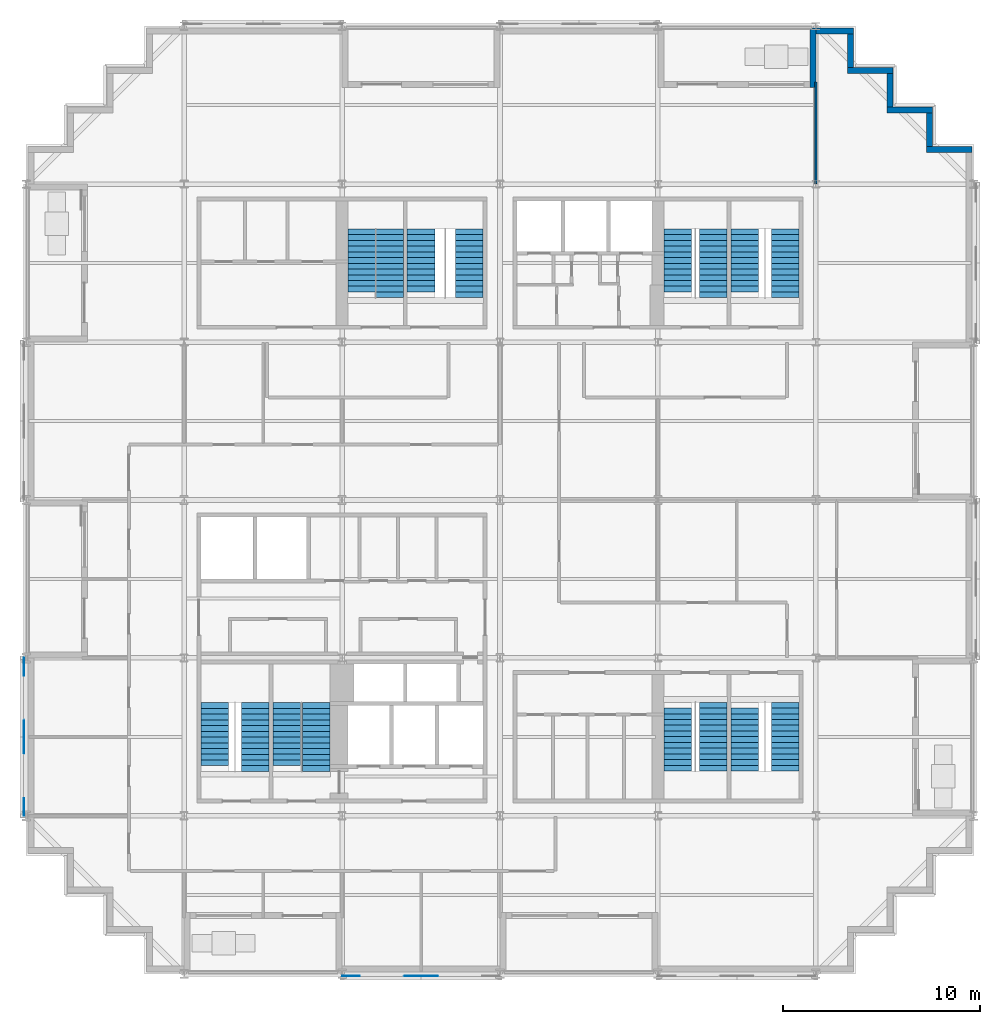
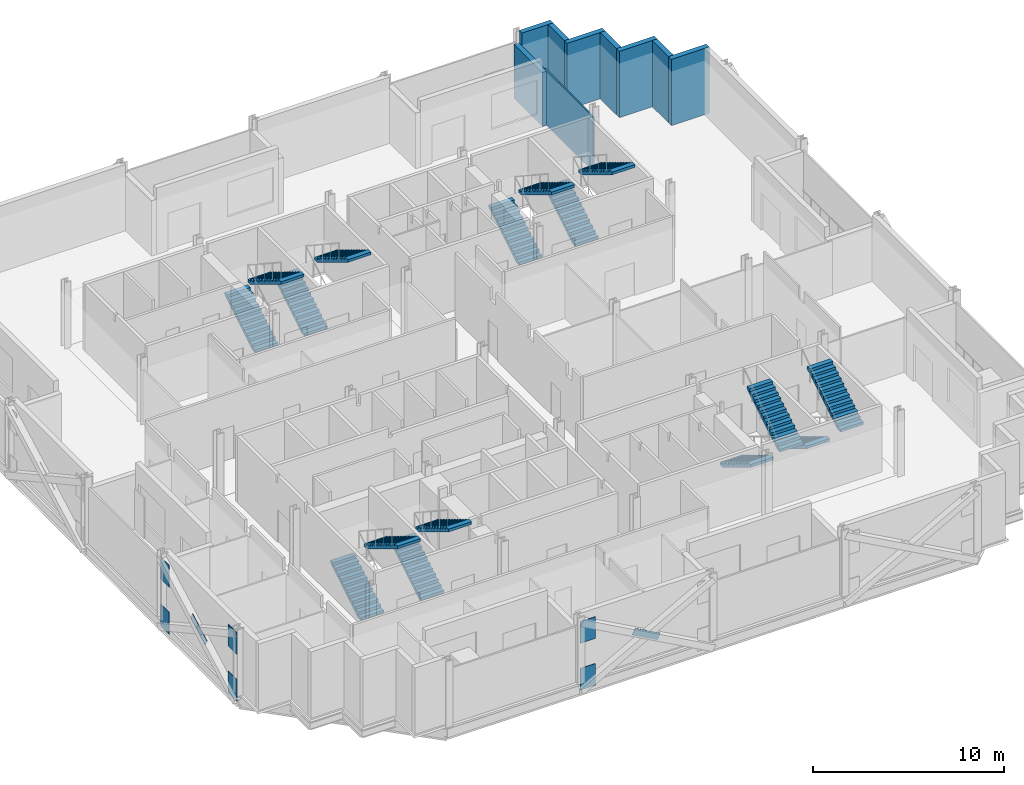
# One storey, part 11 of 15: 16 stair flights, 9 walls, 8 discrete accessories, 8 elements without a shape of their own.
"""IFC4 building model written with IfcOpenShell, lengths in metres."""

from ifc_helpers import new_model, si_unit, direction, frame, frame_2d, origin, origin_2d, place, context, subcontext, project, spatial, polyline, rectangle, outline, extrude, material, layer, layer_set, material_profile, profile_set, type_object, element, aggregate, save


model = new_model("IFC4")

# Units and contexts
model_context = context("Model", 3, precision=1e-05, world=origin(), true_north=direction((0.0, 1.0)))
body_context = subcontext(model_context, "Body", "Model", "MODEL_VIEW")
ifc_project = project(units=[si_unit("LENGTHUNIT", "METRE"), si_unit("AREAUNIT", "SQUARE_METRE"), si_unit("VOLUMEUNIT", "CUBIC_METRE"), si_unit("PLANEANGLEUNIT", "RADIAN"), si_unit("MASSUNIT", "GRAM", prefix="KILO")], contexts=[model_context])

# Site, building, storey
site_placement = place(None, origin())
site = spatial("IfcSite", under=ifc_project, at=site_placement, CompositionType="ELEMENT")
building_placement = place(site_placement, origin())
building = spatial("IfcBuilding", under=site, at=building_placement, Name="Immortelle Media Tower", CompositionType="ELEMENT")
storey_placement = place(building_placement, frame((0.0, 0.0, 78.800048828125)))
storey = spatial("IfcBuildingStorey", under=building, at=storey_placement, Name="L14", CompositionType="ELEMENT", Elevation=78.800048828125)

# Walls
ifc_material_1 = material(Name="Pale aluminium cladding panel", Category="aluminium")
ifc_layer_1 = layer(ifc_material_1, 0.030029296875)
ifc_material_2 = material(Name="Steel ASTM A653 SS Gr 50 stud frame with mineral wool", Category="steel")
ifc_layer_2 = layer(ifc_material_2, 0.257568359375)
ifc_material_3 = material(Name="Moisture-resistant gypsum board", Category="gypsum")
ifc_layer_3 = layer(ifc_material_3, 0.012451171875)
ifc_layer_set_1 = layer_set([ifc_layer_1, ifc_layer_2, ifc_layer_3], Name="Steel ASTM A653 SS Gr 50 stud frame with mineral wool")
wall_type_1 = type_object("IfcWallType", Name="Facade wall 300", PredefinedType="SOLIDWALL", material=ifc_layer_set_1)
wall_1_placement = place(storey_placement, frame((47.89990234375, 41.75, 0.0), z_axis=(0.0, 0.0, 1.0), x_axis=(-1.0, 0.0, 0.0)))
element("IfcWall", 1, at=wall_1_placement, inside=storey, type_object=wall_type_1, Name="Facade wall L14 N15", PredefinedType="SOLIDWALL", context=body_context, shape_type="SweptSolid", body=[
    extrude(rectangle(XDim=2.2998046875, YDim=0.300048828125, at=frame_2d((1.14990234375, 0.0))), origin(), (0.0, 0.0, 1.0), 4.25),
])
wall_2_placement = place(storey_placement, frame((45.75, 41.89990234375, 0.0), z_axis=(0.0, 0.0, 1.0), x_axis=(0.0, 1.0, 0.0)))
element("IfcWall", 2, at=wall_2_placement, inside=storey, type_object=wall_type_1, Name="Facade wall L14 E16", PredefinedType="SOLIDWALL", context=body_context, shape_type="SweptSolid", body=[
    extrude(rectangle(XDim=1.7001953125, YDim=0.300048828125, at=frame_2d((0.85009765625, 0.0))), origin(), (0.0, 0.0, 1.0), 4.25),
])
wall_3_placement = place(storey_placement, frame((45.89990234375, 43.75, 0.0), z_axis=(0.0, 0.0, 1.0), x_axis=(-1.0, 0.0, 0.0)))
element("IfcWall", 3, at=wall_3_placement, inside=storey, type_object=wall_type_1, Name="Facade wall L14 N17", PredefinedType="SOLIDWALL", context=body_context, shape_type="SweptSolid", body=[
    extrude(rectangle(XDim=2.2998046875, YDim=0.300048828125, at=frame_2d((1.14990234375, 0.0))), origin(), (0.0, 0.0, 1.0), 4.25),
])
wall_4_placement = place(storey_placement, frame((43.75, 43.89990234375, 0.0), z_axis=(0.0, 0.0, 1.0), x_axis=(0.0, 1.0, 0.0)))
element("IfcWall", 4, at=wall_4_placement, inside=storey, type_object=wall_type_1, Name="Facade wall L14 E18", PredefinedType="SOLIDWALL", context=body_context, shape_type="SweptSolid", body=[
    extrude(rectangle(XDim=1.7001953125, YDim=0.300048828125, at=frame_2d((0.85009765625, 0.0))), origin(), (0.0, 0.0, 1.0), 4.25),
])
wall_5_placement = place(storey_placement, frame((43.89990234375, 45.75, 0.0), z_axis=(0.0, 0.0, 1.0), x_axis=(-1.0, 0.0, 0.0)))
element("IfcWall", 5, at=wall_5_placement, inside=storey, type_object=wall_type_1, Name="Facade wall L14 N19", PredefinedType="SOLIDWALL", context=body_context, shape_type="SweptSolid", body=[
    extrude(rectangle(XDim=2.2998046875, YDim=0.300048828125, at=frame_2d((1.14990234375, 0.0))), origin(), (0.0, 0.0, 1.0), 4.25),
])
wall_6_placement = place(storey_placement, frame((41.75, 45.89990234375, 0.0), z_axis=(0.0, 0.0, 1.0), x_axis=(0.0, 1.0, 0.0)))
element("IfcWall", 6, at=wall_6_placement, inside=storey, type_object=wall_type_1, Name="Facade wall L14 E20", PredefinedType="SOLIDWALL", context=body_context, shape_type="SweptSolid", body=[
    extrude(rectangle(XDim=1.7001953125, YDim=0.300048828125, at=frame_2d((0.85009765625, 0.0))), origin(), (0.0, 0.0, 1.0), 4.25),
])
wall_7_placement = place(storey_placement, frame((41.89990234375, 47.75, 0.0), z_axis=(0.0, 0.0, 1.0), x_axis=(-1.0, 0.0, 0.0)))
element("IfcWall", 7, at=wall_7_placement, inside=storey, type_object=wall_type_1, Name="Facade wall L14 N21", PredefinedType="SOLIDWALL", context=body_context, shape_type="SweptSolid", body=[
    extrude(rectangle(XDim=1.89990234375, YDim=0.300048828125, at=frame_2d((0.949951171875, 0.0))), origin(), (0.0, 0.0, 1.0), 4.25),
])
wall_8_placement = place(storey_placement, frame((39.85009765625, 47.89990234375, 0.0), z_axis=(0.0, 0.0, 1.0), x_axis=(0.0, -1.0, 0.0)))
element("IfcWall", 8, at=wall_8_placement, inside=storey, type_object=wall_type_1, Name="Loggia cheek wall L14 N", PredefinedType="SOLIDWALL", context=body_context, shape_type="SweptSolid", body=[
    extrude(rectangle(XDim=3.0, YDim=0.300048828125, at=frame_2d((1.5, 0.0))), origin(), (0.0, 0.0, 1.0), 3.468994140625),
])
ifc_material_4 = material(Name="Gypsum board", Category="gypsum")
ifc_layer_4 = layer(ifc_material_4, 0.012451171875)
ifc_layer_5 = layer(ifc_material_2, 0.074951171875)
ifc_layer_6 = layer(ifc_material_4, 0.012451171875)
ifc_layer_set_2 = layer_set([ifc_layer_4, ifc_layer_5, ifc_layer_6], Name="Steel ASTM A653 SS Gr 50 stud frame with mineral wool")
wall_type_2 = type_object("IfcWallType", Name="Partition 100", PredefinedType="PARTITIONING", material=ifc_layer_set_2)
wall_9_placement = place(storey_placement, frame((40.0, 40.030029296875, 0.0), z_axis=(0.0, 0.0, 1.0), x_axis=(0.0, 1.0, 0.0)))
element("IfcWall", 9, at=wall_9_placement, inside=storey, type_object=wall_type_2, Name="Partition L14-038", PredefinedType="PARTITIONING", context=body_context, shape_type="SweptSolid", body=[
    extrude(rectangle(XDim=5.139892578125, YDim=0.10009765625, at=frame_2d((2.56982421875, 0.0))), origin(), (0.0, 0.0, 1.0), 3.469970703125),
])

# Stair, stair flights
ifc_material_5 = material(Name="Steel ASTM A992 Gr 50", Category="steel")
stair_type = type_object("IfcStairType", Name="Stair with flights", PredefinedType="DOUBLE_RETURN_STAIR", material=ifc_material_5)
stair_1_placement = place(storey_placement, origin())
stair_1 = element("IfcStair", 10, at=stair_1_placement, inside=storey, type_object=stair_type, Name="Exit stair SW1", PredefinedType="DOUBLE_RETURN_STAIR")
stair_flight_type = type_object("IfcStairFlightType", Name="Stair flight 1400", PredefinedType="STRAIGHT", material=ifc_material_5)
stair_flight_1_placement = place(storey_placement, frame((9.550048828125, 10.5400390625, 0.0), z_axis=(0.0, 0.0, 1.0), x_axis=(0.0, 1.0, 0.0)))
stair_flight_1 = element("IfcStairFlight", 11, at=stair_flight_1_placement, type_object=stair_flight_type, Name="ST SW1 flight 1", NumberOfRisers=12, NumberOfTreads=11, PredefinedType="STRAIGHT", RiserHeight=0.176, TreadLength=0.29, context=body_context, shape_type="SweptSolid", body=[
    extrude(outline(polyline([(0.0, 0.0), (0.0, 0.176025390625), (0.2900390625, 0.176025390625), (0.2900390625, 0.35205078125), (0.580078125, 0.35205078125), (0.580078125, 0.528076171875), (0.8701171875, 0.528076171875), (0.8701171875, 0.7041015625), (1.159912109375, 0.7041015625), (1.159912109375, 0.8798828125), (1.449951171875, 0.8798828125), (1.449951171875, 1.055908203125), (1.739990234375, 1.055908203125), (1.739990234375, 1.23193359375), (2.030029296875, 1.23193359375), (2.030029296875, 1.407958984375), (2.320068359375, 1.407958984375), (2.320068359375, 1.583984375), (2.610107421875, 1.583984375), (2.610107421875, 1.760009765625), (2.89990234375, 1.760009765625), (2.89990234375, 1.93603515625), (3.18994140625, 1.93603515625), (3.18994140625, 2.112060546875), (3.18994140625, 1.7607421875), (0.288818359375, 0.0), (0.0, 0.0)])), frame((0.0, 0.699951171875, 0.0), z_axis=(0.0, -1.0, 0.0), x_axis=(1.0, 0.0, 0.0)), (0.0, 0.0, 1.0), 1.39990234375),
])
stair_flight_2_placement = place(storey_placement, frame((11.60009765625, 13.72998046875, 2.112060546875), z_axis=(0.0, 0.0, 1.0), x_axis=(0.0, -1.0, 0.0)))
stair_flight_2 = element("IfcStairFlight", 12, at=stair_flight_2_placement, type_object=stair_flight_type, Name="ST SW1 flight 2", NumberOfRisers=13, NumberOfTreads=12, PredefinedType="STRAIGHT", RiserHeight=0.176, TreadLength=0.29, context=body_context, shape_type="SweptSolid", body=[
    extrude(outline(polyline([(0.0, 0.0), (0.0, 0.176025390625), (0.2900390625, 0.176025390625), (0.2900390625, 0.35205078125), (0.580078125, 0.35205078125), (0.580078125, 0.528076171875), (0.8701171875, 0.528076171875), (0.8701171875, 0.7041015625), (1.159912109375, 0.7041015625), (1.159912109375, 0.8798828125), (1.449951171875, 0.8798828125), (1.449951171875, 1.055908203125), (1.739990234375, 1.055908203125), (1.739990234375, 1.23193359375), (2.030029296875, 1.23193359375), (2.030029296875, 1.407958984375), (2.320068359375, 1.407958984375), (2.320068359375, 1.583984375), (2.610107421875, 1.583984375), (2.610107421875, 1.760009765625), (2.89990234375, 1.760009765625), (2.89990234375, 1.93603515625), (3.18994140625, 1.93603515625), (3.18994140625, 2.112060546875), (3.47998046875, 2.112060546875), (3.47998046875, 2.2880859375), (3.47998046875, 1.936767578125), (0.288818359375, 0.0), (0.0, 0.0)])), frame((0.0, 0.699951171875, 0.0), z_axis=(0.0, -1.0, 0.0), x_axis=(1.0, 0.0, 0.0)), (0.0, 0.0, 1.0), 1.39990234375),
])
aggregate(stair_1, [stair_flight_1, stair_flight_2])

stair_2_placement = place(storey_placement, origin())
stair_2 = element("IfcStair", 13, at=stair_2_placement, inside=storey, type_object=stair_type, Name="Exit stair SW2", PredefinedType="DOUBLE_RETURN_STAIR")
stair_flight_3_placement = place(storey_placement, frame((13.199951171875, 10.5400390625, 0.0), z_axis=(0.0, 0.0, 1.0), x_axis=(0.0, 1.0, 0.0)))
stair_flight_3 = element("IfcStairFlight", 14, at=stair_flight_3_placement, type_object=stair_flight_type, Name="ST SW2 flight 1", NumberOfRisers=12, NumberOfTreads=11, PredefinedType="STRAIGHT", RiserHeight=0.176, TreadLength=0.29, context=body_context, shape_type="SweptSolid", body=[
    extrude(outline(polyline([(0.0, 0.0), (0.0, 0.176025390625), (0.2900390625, 0.176025390625), (0.2900390625, 0.35205078125), (0.580078125, 0.35205078125), (0.580078125, 0.528076171875), (0.8701171875, 0.528076171875), (0.8701171875, 0.7041015625), (1.159912109375, 0.7041015625), (1.159912109375, 0.8798828125), (1.449951171875, 0.8798828125), (1.449951171875, 1.055908203125), (1.739990234375, 1.055908203125), (1.739990234375, 1.23193359375), (2.030029296875, 1.23193359375), (2.030029296875, 1.407958984375), (2.320068359375, 1.407958984375), (2.320068359375, 1.583984375), (2.610107421875, 1.583984375), (2.610107421875, 1.760009765625), (2.89990234375, 1.760009765625), (2.89990234375, 1.93603515625), (3.18994140625, 1.93603515625), (3.18994140625, 2.112060546875), (3.18994140625, 1.7607421875), (0.288818359375, 0.0), (0.0, 0.0)])), frame((0.0, 0.699951171875, 0.0), z_axis=(0.0, -1.0, 0.0), x_axis=(1.0, 0.0, 0.0)), (0.0, 0.0, 1.0), 1.39990234375),
])
stair_flight_4_placement = place(storey_placement, frame((14.699951171875, 13.72998046875, 2.112060546875), z_axis=(0.0, 0.0, 1.0), x_axis=(0.0, -1.0, 0.0)))
stair_flight_4 = element("IfcStairFlight", 15, at=stair_flight_4_placement, type_object=stair_flight_type, Name="ST SW2 flight 2", NumberOfRisers=13, NumberOfTreads=12, PredefinedType="STRAIGHT", RiserHeight=0.176, TreadLength=0.29, context=body_context, shape_type="SweptSolid", body=[
    extrude(outline(polyline([(0.0, 0.0), (0.0, 0.176025390625), (0.2900390625, 0.176025390625), (0.2900390625, 0.35205078125), (0.580078125, 0.35205078125), (0.580078125, 0.528076171875), (0.8701171875, 0.528076171875), (0.8701171875, 0.7041015625), (1.159912109375, 0.7041015625), (1.159912109375, 0.8798828125), (1.449951171875, 0.8798828125), (1.449951171875, 1.055908203125), (1.739990234375, 1.055908203125), (1.739990234375, 1.23193359375), (2.030029296875, 1.23193359375), (2.030029296875, 1.407958984375), (2.320068359375, 1.407958984375), (2.320068359375, 1.583984375), (2.610107421875, 1.583984375), (2.610107421875, 1.760009765625), (2.89990234375, 1.760009765625), (2.89990234375, 1.93603515625), (3.18994140625, 1.93603515625), (3.18994140625, 2.112060546875), (3.47998046875, 2.112060546875), (3.47998046875, 2.2880859375), (3.47998046875, 1.936767578125), (0.288818359375, 0.0), (0.0, 0.0)])), frame((0.0, 0.699951171875, 0.0), z_axis=(0.0, -1.0, 0.0), x_axis=(1.0, 0.0, 0.0)), (0.0, 0.0, 1.0), 1.39990234375),
])
aggregate(stair_2, [stair_flight_3, stair_flight_4])

stair_3_placement = place(storey_placement, origin())
stair_3 = element("IfcStair", 16, at=stair_3_placement, inside=storey, type_object=stair_type, Name="Exit stair SE1", PredefinedType="DOUBLE_RETURN_STAIR")
stair_flight_5_placement = place(storey_placement, frame((33.0, 13.4599609375, 0.0), z_axis=(0.0, 0.0, 1.0), x_axis=(0.0, -1.0, 0.0)))
stair_flight_5 = element("IfcStairFlight", 17, at=stair_flight_5_placement, type_object=stair_flight_type, Name="ST SE1 flight 1", NumberOfRisers=12, NumberOfTreads=11, PredefinedType="STRAIGHT", RiserHeight=0.176, TreadLength=0.29, context=body_context, shape_type="SweptSolid", body=[
    extrude(outline(polyline([(0.0, 0.0), (0.0, 0.176025390625), (0.2900390625, 0.176025390625), (0.2900390625, 0.35205078125), (0.580078125, 0.35205078125), (0.580078125, 0.528076171875), (0.8701171875, 0.528076171875), (0.8701171875, 0.7041015625), (1.159912109375, 0.7041015625), (1.159912109375, 0.8798828125), (1.449951171875, 0.8798828125), (1.449951171875, 1.055908203125), (1.739990234375, 1.055908203125), (1.739990234375, 1.23193359375), (2.030029296875, 1.23193359375), (2.030029296875, 1.407958984375), (2.320068359375, 1.407958984375), (2.320068359375, 1.583984375), (2.610107421875, 1.583984375), (2.610107421875, 1.760009765625), (2.89990234375, 1.760009765625), (2.89990234375, 1.93603515625), (3.18994140625, 1.93603515625), (3.18994140625, 2.112060546875), (3.18994140625, 1.7607421875), (0.288818359375, 0.0), (0.0, 0.0)])), frame((0.0, 0.699951171875, 0.0), z_axis=(0.0, -1.0, 0.0), x_axis=(1.0, 0.0, 0.0)), (0.0, 0.0, 1.0), 1.39990234375),
])
stair_flight_6_placement = place(storey_placement, frame((34.800048828125, 10.27001953125, 2.112060546875), z_axis=(0.0, 0.0, 1.0), x_axis=(0.0, 1.0, 0.0)))
stair_flight_6 = element("IfcStairFlight", 18, at=stair_flight_6_placement, type_object=stair_flight_type, Name="ST SE1 flight 2", NumberOfRisers=13, NumberOfTreads=12, PredefinedType="STRAIGHT", RiserHeight=0.176, TreadLength=0.29, context=body_context, shape_type="SweptSolid", body=[
    extrude(outline(polyline([(0.0, 0.0), (0.0, 0.176025390625), (0.2900390625, 0.176025390625), (0.2900390625, 0.35205078125), (0.580078125, 0.35205078125), (0.580078125, 0.528076171875), (0.8701171875, 0.528076171875), (0.8701171875, 0.7041015625), (1.159912109375, 0.7041015625), (1.159912109375, 0.8798828125), (1.449951171875, 0.8798828125), (1.449951171875, 1.055908203125), (1.739990234375, 1.055908203125), (1.739990234375, 1.23193359375), (2.030029296875, 1.23193359375), (2.030029296875, 1.407958984375), (2.320068359375, 1.407958984375), (2.320068359375, 1.583984375), (2.610107421875, 1.583984375), (2.610107421875, 1.760009765625), (2.89990234375, 1.760009765625), (2.89990234375, 1.93603515625), (3.18994140625, 1.93603515625), (3.18994140625, 2.112060546875), (3.47998046875, 2.112060546875), (3.47998046875, 2.2880859375), (3.47998046875, 1.936767578125), (0.288818359375, 0.0), (0.0, 0.0)])), frame((0.0, 0.699951171875, 0.0), z_axis=(0.0, -1.0, 0.0), x_axis=(1.0, 0.0, 0.0)), (0.0, 0.0, 1.0), 1.39990234375),
])
aggregate(stair_3, [stair_flight_5, stair_flight_6])

stair_4_placement = place(storey_placement, origin())
stair_4 = element("IfcStair", 19, at=stair_4_placement, inside=storey, type_object=stair_type, Name="Exit stair SE2", PredefinedType="DOUBLE_RETURN_STAIR")
stair_flight_7_placement = place(storey_placement, frame((36.39990234375, 13.4599609375, 0.0), z_axis=(0.0, 0.0, 1.0), x_axis=(0.0, -1.0, 0.0)))
stair_flight_7 = element("IfcStairFlight", 20, at=stair_flight_7_placement, type_object=stair_flight_type, Name="ST SE2 flight 1", NumberOfRisers=12, NumberOfTreads=11, PredefinedType="STRAIGHT", RiserHeight=0.176, TreadLength=0.29, context=body_context, shape_type="SweptSolid", body=[
    extrude(outline(polyline([(0.0, 0.0), (0.0, 0.176025390625), (0.2900390625, 0.176025390625), (0.2900390625, 0.35205078125), (0.580078125, 0.35205078125), (0.580078125, 0.528076171875), (0.8701171875, 0.528076171875), (0.8701171875, 0.7041015625), (1.159912109375, 0.7041015625), (1.159912109375, 0.8798828125), (1.449951171875, 0.8798828125), (1.449951171875, 1.055908203125), (1.739990234375, 1.055908203125), (1.739990234375, 1.23193359375), (2.030029296875, 1.23193359375), (2.030029296875, 1.407958984375), (2.320068359375, 1.407958984375), (2.320068359375, 1.583984375), (2.610107421875, 1.583984375), (2.610107421875, 1.760009765625), (2.89990234375, 1.760009765625), (2.89990234375, 1.93603515625), (3.18994140625, 1.93603515625), (3.18994140625, 2.112060546875), (3.18994140625, 1.7607421875), (0.288818359375, 0.0), (0.0, 0.0)])), frame((0.0, 0.699951171875, 0.0), z_axis=(0.0, -1.0, 0.0), x_axis=(1.0, 0.0, 0.0)), (0.0, 0.0, 1.0), 1.39990234375),
])
stair_flight_8_placement = place(storey_placement, frame((38.449951171875, 10.27001953125, 2.112060546875), z_axis=(0.0, 0.0, 1.0), x_axis=(0.0, 1.0, 0.0)))
stair_flight_8 = element("IfcStairFlight", 21, at=stair_flight_8_placement, type_object=stair_flight_type, Name="ST SE2 flight 2", NumberOfRisers=13, NumberOfTreads=12, PredefinedType="STRAIGHT", RiserHeight=0.176, TreadLength=0.29, context=body_context, shape_type="SweptSolid", body=[
    extrude(outline(polyline([(0.0, 0.0), (0.0, 0.176025390625), (0.2900390625, 0.176025390625), (0.2900390625, 0.35205078125), (0.580078125, 0.35205078125), (0.580078125, 0.528076171875), (0.8701171875, 0.528076171875), (0.8701171875, 0.7041015625), (1.159912109375, 0.7041015625), (1.159912109375, 0.8798828125), (1.449951171875, 0.8798828125), (1.449951171875, 1.055908203125), (1.739990234375, 1.055908203125), (1.739990234375, 1.23193359375), (2.030029296875, 1.23193359375), (2.030029296875, 1.407958984375), (2.320068359375, 1.407958984375), (2.320068359375, 1.583984375), (2.610107421875, 1.583984375), (2.610107421875, 1.760009765625), (2.89990234375, 1.760009765625), (2.89990234375, 1.93603515625), (3.18994140625, 1.93603515625), (3.18994140625, 2.112060546875), (3.47998046875, 2.112060546875), (3.47998046875, 2.2880859375), (3.47998046875, 1.936767578125), (0.288818359375, 0.0), (0.0, 0.0)])), frame((0.0, 0.699951171875, 0.0), z_axis=(0.0, -1.0, 0.0), x_axis=(1.0, 0.0, 0.0)), (0.0, 0.0, 1.0), 1.39990234375),
])
aggregate(stair_4, [stair_flight_7, stair_flight_8])

stair_5_placement = place(storey_placement, origin())
stair_5 = element("IfcStair", 22, at=stair_5_placement, inside=storey, type_object=stair_type, Name="Exit stair NW1", PredefinedType="DOUBLE_RETURN_STAIR")
stair_flight_9_placement = place(storey_placement, frame((17.0, 34.5400390625, 0.0), z_axis=(0.0, 0.0, 1.0), x_axis=(0.0, 1.0, 0.0)))
stair_flight_9 = element("IfcStairFlight", 23, at=stair_flight_9_placement, type_object=stair_flight_type, Name="ST NW1 flight 1", NumberOfRisers=12, NumberOfTreads=11, PredefinedType="STRAIGHT", RiserHeight=0.176, TreadLength=0.29, context=body_context, shape_type="SweptSolid", body=[
    extrude(outline(polyline([(0.0, 0.0), (0.0, 0.176025390625), (0.2900390625, 0.176025390625), (0.2900390625, 0.35205078125), (0.580078125, 0.35205078125), (0.580078125, 0.528076171875), (0.8701171875, 0.528076171875), (0.8701171875, 0.7041015625), (1.159912109375, 0.7041015625), (1.159912109375, 0.8798828125), (1.449951171875, 0.8798828125), (1.449951171875, 1.055908203125), (1.739990234375, 1.055908203125), (1.739990234375, 1.23193359375), (2.030029296875, 1.23193359375), (2.030029296875, 1.407958984375), (2.320068359375, 1.407958984375), (2.320068359375, 1.583984375), (2.610107421875, 1.583984375), (2.610107421875, 1.760009765625), (2.89990234375, 1.760009765625), (2.89990234375, 1.93603515625), (3.18994140625, 1.93603515625), (3.18994140625, 2.112060546875), (3.18994140625, 1.7607421875), (0.288818359375, 0.0), (0.0, 0.0)])), frame((0.0, 0.699951171875, 0.0), z_axis=(0.0, -1.0, 0.0), x_axis=(1.0, 0.0, 0.0)), (0.0, 0.0, 1.0), 1.39990234375),
])
stair_flight_10_placement = place(storey_placement, frame((18.39990234375, 37.72998046875, 2.112060546875), z_axis=(0.0, 0.0, 1.0), x_axis=(0.0, -1.0, 0.0)))
stair_flight_10 = element("IfcStairFlight", 24, at=stair_flight_10_placement, type_object=stair_flight_type, Name="ST NW1 flight 2", NumberOfRisers=13, NumberOfTreads=12, PredefinedType="STRAIGHT", RiserHeight=0.176, TreadLength=0.29, context=body_context, shape_type="SweptSolid", body=[
    extrude(outline(polyline([(0.0, 0.0), (0.0, 0.176025390625), (0.2900390625, 0.176025390625), (0.2900390625, 0.35205078125), (0.580078125, 0.35205078125), (0.580078125, 0.528076171875), (0.8701171875, 0.528076171875), (0.8701171875, 0.7041015625), (1.159912109375, 0.7041015625), (1.159912109375, 0.8798828125), (1.449951171875, 0.8798828125), (1.449951171875, 1.055908203125), (1.739990234375, 1.055908203125), (1.739990234375, 1.23193359375), (2.030029296875, 1.23193359375), (2.030029296875, 1.407958984375), (2.320068359375, 1.407958984375), (2.320068359375, 1.583984375), (2.610107421875, 1.583984375), (2.610107421875, 1.760009765625), (2.89990234375, 1.760009765625), (2.89990234375, 1.93603515625), (3.18994140625, 1.93603515625), (3.18994140625, 2.112060546875), (3.47998046875, 2.112060546875), (3.47998046875, 2.2880859375), (3.47998046875, 1.936767578125), (0.288818359375, 0.0), (0.0, 0.0)])), frame((0.0, 0.699951171875, 0.0), z_axis=(0.0, -1.0, 0.0), x_axis=(1.0, 0.0, 0.0)), (0.0, 0.0, 1.0), 1.39990234375),
])
aggregate(stair_5, [stair_flight_9, stair_flight_10])

stair_6_placement = place(storey_placement, origin())
stair_6 = element("IfcStair", 25, at=stair_6_placement, inside=storey, type_object=stair_type, Name="Exit stair NW2", PredefinedType="DOUBLE_RETURN_STAIR")
stair_flight_11_placement = place(storey_placement, frame((20.0, 34.5400390625, 0.0), z_axis=(0.0, 0.0, 1.0), x_axis=(0.0, 1.0, 0.0)))
stair_flight_11 = element("IfcStairFlight", 26, at=stair_flight_11_placement, type_object=stair_flight_type, Name="ST NW2 flight 1", NumberOfRisers=12, NumberOfTreads=11, PredefinedType="STRAIGHT", RiserHeight=0.176, TreadLength=0.29, context=body_context, shape_type="SweptSolid", body=[
    extrude(outline(polyline([(0.0, 0.0), (0.0, 0.176025390625), (0.2900390625, 0.176025390625), (0.2900390625, 0.35205078125), (0.580078125, 0.35205078125), (0.580078125, 0.528076171875), (0.8701171875, 0.528076171875), (0.8701171875, 0.7041015625), (1.159912109375, 0.7041015625), (1.159912109375, 0.8798828125), (1.449951171875, 0.8798828125), (1.449951171875, 1.055908203125), (1.739990234375, 1.055908203125), (1.739990234375, 1.23193359375), (2.030029296875, 1.23193359375), (2.030029296875, 1.407958984375), (2.320068359375, 1.407958984375), (2.320068359375, 1.583984375), (2.610107421875, 1.583984375), (2.610107421875, 1.760009765625), (2.89990234375, 1.760009765625), (2.89990234375, 1.93603515625), (3.18994140625, 1.93603515625), (3.18994140625, 2.112060546875), (3.18994140625, 1.7607421875), (0.288818359375, 0.0), (0.0, 0.0)])), frame((0.0, 0.699951171875, 0.0), z_axis=(0.0, -1.0, 0.0), x_axis=(1.0, 0.0, 0.0)), (0.0, 0.0, 1.0), 1.39990234375),
])
stair_flight_12_placement = place(storey_placement, frame((22.449951171875, 37.72998046875, 2.112060546875), z_axis=(0.0, 0.0, 1.0), x_axis=(0.0, -1.0, 0.0)))
stair_flight_12 = element("IfcStairFlight", 27, at=stair_flight_12_placement, type_object=stair_flight_type, Name="ST NW2 flight 2", NumberOfRisers=13, NumberOfTreads=12, PredefinedType="STRAIGHT", RiserHeight=0.176, TreadLength=0.29, context=body_context, shape_type="SweptSolid", body=[
    extrude(outline(polyline([(0.0, 0.0), (0.0, 0.176025390625), (0.2900390625, 0.176025390625), (0.2900390625, 0.35205078125), (0.580078125, 0.35205078125), (0.580078125, 0.528076171875), (0.8701171875, 0.528076171875), (0.8701171875, 0.7041015625), (1.159912109375, 0.7041015625), (1.159912109375, 0.8798828125), (1.449951171875, 0.8798828125), (1.449951171875, 1.055908203125), (1.739990234375, 1.055908203125), (1.739990234375, 1.23193359375), (2.030029296875, 1.23193359375), (2.030029296875, 1.407958984375), (2.320068359375, 1.407958984375), (2.320068359375, 1.583984375), (2.610107421875, 1.583984375), (2.610107421875, 1.760009765625), (2.89990234375, 1.760009765625), (2.89990234375, 1.93603515625), (3.18994140625, 1.93603515625), (3.18994140625, 2.112060546875), (3.47998046875, 2.112060546875), (3.47998046875, 2.2880859375), (3.47998046875, 1.936767578125), (0.288818359375, 0.0), (0.0, 0.0)])), frame((0.0, 0.699951171875, 0.0), z_axis=(0.0, -1.0, 0.0), x_axis=(1.0, 0.0, 0.0)), (0.0, 0.0, 1.0), 1.39990234375),
])
aggregate(stair_6, [stair_flight_11, stair_flight_12])

stair_7_placement = place(storey_placement, origin())
stair_7 = element("IfcStair", 28, at=stair_7_placement, inside=storey, type_object=stair_type, Name="Exit stair NE1", PredefinedType="DOUBLE_RETURN_STAIR")
stair_flight_13_placement = place(storey_placement, frame((33.0, 34.5400390625, 0.0), z_axis=(0.0, 0.0, 1.0), x_axis=(0.0, 1.0, 0.0)))
stair_flight_13 = element("IfcStairFlight", 29, at=stair_flight_13_placement, type_object=stair_flight_type, Name="ST NE1 flight 1", NumberOfRisers=12, NumberOfTreads=11, PredefinedType="STRAIGHT", RiserHeight=0.176, TreadLength=0.29, context=body_context, shape_type="SweptSolid", body=[
    extrude(outline(polyline([(0.0, 0.0), (0.0, 0.176025390625), (0.2900390625, 0.176025390625), (0.2900390625, 0.35205078125), (0.580078125, 0.35205078125), (0.580078125, 0.528076171875), (0.8701171875, 0.528076171875), (0.8701171875, 0.7041015625), (1.159912109375, 0.7041015625), (1.159912109375, 0.8798828125), (1.449951171875, 0.8798828125), (1.449951171875, 1.055908203125), (1.739990234375, 1.055908203125), (1.739990234375, 1.23193359375), (2.030029296875, 1.23193359375), (2.030029296875, 1.407958984375), (2.320068359375, 1.407958984375), (2.320068359375, 1.583984375), (2.610107421875, 1.583984375), (2.610107421875, 1.760009765625), (2.89990234375, 1.760009765625), (2.89990234375, 1.93603515625), (3.18994140625, 1.93603515625), (3.18994140625, 2.112060546875), (3.18994140625, 1.7607421875), (0.288818359375, 0.0), (0.0, 0.0)])), frame((0.0, 0.699951171875, 0.0), z_axis=(0.0, -1.0, 0.0), x_axis=(1.0, 0.0, 0.0)), (0.0, 0.0, 1.0), 1.39990234375),
])
stair_flight_14_placement = place(storey_placement, frame((34.800048828125, 37.72998046875, 2.112060546875), z_axis=(0.0, 0.0, 1.0), x_axis=(0.0, -1.0, 0.0)))
stair_flight_14 = element("IfcStairFlight", 30, at=stair_flight_14_placement, type_object=stair_flight_type, Name="ST NE1 flight 2", NumberOfRisers=13, NumberOfTreads=12, PredefinedType="STRAIGHT", RiserHeight=0.176, TreadLength=0.29, context=body_context, shape_type="SweptSolid", body=[
    extrude(outline(polyline([(0.0, 0.0), (0.0, 0.176025390625), (0.2900390625, 0.176025390625), (0.2900390625, 0.35205078125), (0.580078125, 0.35205078125), (0.580078125, 0.528076171875), (0.8701171875, 0.528076171875), (0.8701171875, 0.7041015625), (1.159912109375, 0.7041015625), (1.159912109375, 0.8798828125), (1.449951171875, 0.8798828125), (1.449951171875, 1.055908203125), (1.739990234375, 1.055908203125), (1.739990234375, 1.23193359375), (2.030029296875, 1.23193359375), (2.030029296875, 1.407958984375), (2.320068359375, 1.407958984375), (2.320068359375, 1.583984375), (2.610107421875, 1.583984375), (2.610107421875, 1.760009765625), (2.89990234375, 1.760009765625), (2.89990234375, 1.93603515625), (3.18994140625, 1.93603515625), (3.18994140625, 2.112060546875), (3.47998046875, 2.112060546875), (3.47998046875, 2.2880859375), (3.47998046875, 1.936767578125), (0.288818359375, 0.0), (0.0, 0.0)])), frame((0.0, 0.699951171875, 0.0), z_axis=(0.0, -1.0, 0.0), x_axis=(1.0, 0.0, 0.0)), (0.0, 0.0, 1.0), 1.39990234375),
])
aggregate(stair_7, [stair_flight_13, stair_flight_14])

stair_8_placement = place(storey_placement, origin())
stair_8 = element("IfcStair", 31, at=stair_8_placement, inside=storey, type_object=stair_type, Name="Exit stair NE2", PredefinedType="DOUBLE_RETURN_STAIR")
stair_flight_15_placement = place(storey_placement, frame((36.39990234375, 34.5400390625, 0.0), z_axis=(0.0, 0.0, 1.0), x_axis=(0.0, 1.0, 0.0)))
stair_flight_15 = element("IfcStairFlight", 32, at=stair_flight_15_placement, type_object=stair_flight_type, Name="ST NE2 flight 1", NumberOfRisers=12, NumberOfTreads=11, PredefinedType="STRAIGHT", RiserHeight=0.176, TreadLength=0.29, context=body_context, shape_type="SweptSolid", body=[
    extrude(outline(polyline([(0.0, 0.0), (0.0, 0.176025390625), (0.2900390625, 0.176025390625), (0.2900390625, 0.35205078125), (0.580078125, 0.35205078125), (0.580078125, 0.528076171875), (0.8701171875, 0.528076171875), (0.8701171875, 0.7041015625), (1.159912109375, 0.7041015625), (1.159912109375, 0.8798828125), (1.449951171875, 0.8798828125), (1.449951171875, 1.055908203125), (1.739990234375, 1.055908203125), (1.739990234375, 1.23193359375), (2.030029296875, 1.23193359375), (2.030029296875, 1.407958984375), (2.320068359375, 1.407958984375), (2.320068359375, 1.583984375), (2.610107421875, 1.583984375), (2.610107421875, 1.760009765625), (2.89990234375, 1.760009765625), (2.89990234375, 1.93603515625), (3.18994140625, 1.93603515625), (3.18994140625, 2.112060546875), (3.18994140625, 1.7607421875), (0.288818359375, 0.0), (0.0, 0.0)])), frame((0.0, 0.699951171875, 0.0), z_axis=(0.0, -1.0, 0.0), x_axis=(1.0, 0.0, 0.0)), (0.0, 0.0, 1.0), 1.39990234375),
])
stair_flight_16_placement = place(storey_placement, frame((38.449951171875, 37.72998046875, 2.112060546875), z_axis=(0.0, 0.0, 1.0), x_axis=(0.0, -1.0, 0.0)))
stair_flight_16 = element("IfcStairFlight", 33, at=stair_flight_16_placement, type_object=stair_flight_type, Name="ST NE2 flight 2", NumberOfRisers=13, NumberOfTreads=12, PredefinedType="STRAIGHT", RiserHeight=0.176, TreadLength=0.29, context=body_context, shape_type="SweptSolid", body=[
    extrude(outline(polyline([(0.0, 0.0), (0.0, 0.176025390625), (0.2900390625, 0.176025390625), (0.2900390625, 0.35205078125), (0.580078125, 0.35205078125), (0.580078125, 0.528076171875), (0.8701171875, 0.528076171875), (0.8701171875, 0.7041015625), (1.159912109375, 0.7041015625), (1.159912109375, 0.8798828125), (1.449951171875, 0.8798828125), (1.449951171875, 1.055908203125), (1.739990234375, 1.055908203125), (1.739990234375, 1.23193359375), (2.030029296875, 1.23193359375), (2.030029296875, 1.407958984375), (2.320068359375, 1.407958984375), (2.320068359375, 1.583984375), (2.610107421875, 1.583984375), (2.610107421875, 1.760009765625), (2.89990234375, 1.760009765625), (2.89990234375, 1.93603515625), (3.18994140625, 1.93603515625), (3.18994140625, 2.112060546875), (3.47998046875, 2.112060546875), (3.47998046875, 2.2880859375), (3.47998046875, 1.936767578125), (0.288818359375, 0.0), (0.0, 0.0)])), frame((0.0, 0.699951171875, 0.0), z_axis=(0.0, -1.0, 0.0), x_axis=(1.0, 0.0, 0.0)), (0.0, 0.0, 1.0), 1.39990234375),
])
aggregate(stair_8, [stair_flight_15, stair_flight_16])

# Discrete accessories
ifc_material_6 = material(Name="Steel ASTM A572 Gr 50", Category="steel")
ifc_material_profile_1 = material_profile(ifc_material_6, rectangle(XDim=0.031982421875, YDim=0.406005859375, at=origin_2d()), Name="PL 32 x 406")
ifc_profile_set_1 = profile_set([ifc_material_profile_1], Name="Steel ASTM A572 Gr 50")
discrete_accessory_type_1 = type_object("IfcDiscreteAccessoryType", Name="Crossing plate XP-BR3 1750 x 406 x 32", PredefinedType="USERDEFINED", material=ifc_profile_set_1)
for number, where, z_axis, x_axis, name in (
    (34, (-0.113037109375, 12.7666015625, 2.125244140625), (0.0, -0.876156989658, -0.482025859756), (1.0, 0.0, 0.0), "Crossing plate XP-BR3 of Brace 1/B-C A and Brace 1/B-C B"),
    (35, (19.2333984375, -0.113037109375, 2.125244140625), (0.876156989658, 0.0, -0.482025859756), (0.0, 1.0, 0.0), "Crossing plate XP-BR3 of Brace A/3-4 A and Brace A/3-4 B"),
):
    element("IfcDiscreteAccessory", number, at=place(storey_placement, frame(where, z_axis=z_axis, x_axis=x_axis)), inside=storey, type_object=discrete_accessory_type_1, Name=name, ObjectType="CROSSING PLATE", PredefinedType="USERDEFINED", context=body_context, shape_type="SweptSolid", body=[
        extrude(rectangle(XDim=0.031982421875, YDim=0.406005859375, at=origin_2d()), origin(), (0.0, 0.0, 1.0), 1.75),
    ])
ifc_material_profile_2 = material_profile(ifc_material_6, rectangle(XDim=0.031982421875, YDim=1.39990234375, at=origin_2d()), Name="PL 32 x 1400")
ifc_profile_set_2 = profile_set([ifc_material_profile_2], Name="Steel ASTM A572 Gr 50")
discrete_accessory_type_2 = type_object("IfcDiscreteAccessoryType", Name="Gusset plate GP1 900 x 1400 x 32", PredefinedType="USERDEFINED", material=ifc_profile_set_2)
for number, where, z_axis, x_axis, name in (
    (36, (-0.113037109375, 16.0, 0.203369140625), (0.0, -1.0, 0.0), (1.0, 0.0, 0.0), "Gusset plate GP1, lower end of Brace 1/B-C A"),
    (37, (-0.113037109375, 8.0, 3.203369140625), (0.0, 1.0, 0.0), (-1.0, 0.0, 0.0), "Gusset plate GP1, upper end of Brace 1/B-C A"),
    (38, (-0.113037109375, 8.0, 0.203369140625), (0.0, 1.0, 0.0), (-1.0, 0.0, 0.0), "Gusset plate GP1, lower end of Brace 1/B-C B"),
    (39, (-0.113037109375, 16.0, 3.203369140625), (0.0, -1.0, 0.0), (1.0, 0.0, 0.0), "Gusset plate GP1, upper end of Brace 1/B-C B"),
    (40, (16.0, -0.113037109375, 0.203369140625), (1.0, 0.0, 0.0), (0.0, 1.0, 0.0), "Gusset plate GP1, lower end of Brace A/3-4 A"),
    (41, (16.0, -0.113037109375, 3.203369140625), (1.0, 0.0, 0.0), (0.0, 1.0, 0.0), "Gusset plate GP1, upper end of Brace A/3-4 B"),
):
    element("IfcDiscreteAccessory", number, at=place(storey_placement, frame(where, z_axis=z_axis, x_axis=x_axis)), inside=storey, type_object=discrete_accessory_type_2, Name=name, ObjectType="GUSSET PLATE", PredefinedType="USERDEFINED", context=body_context, shape_type="SweptSolid", body=[
        extrude(rectangle(XDim=0.031982421875, YDim=1.39990234375, at=origin_2d()), origin(), (0.0, 0.0, 1.0), 0.89990234375),
    ])

save(model, "model.ifc")
